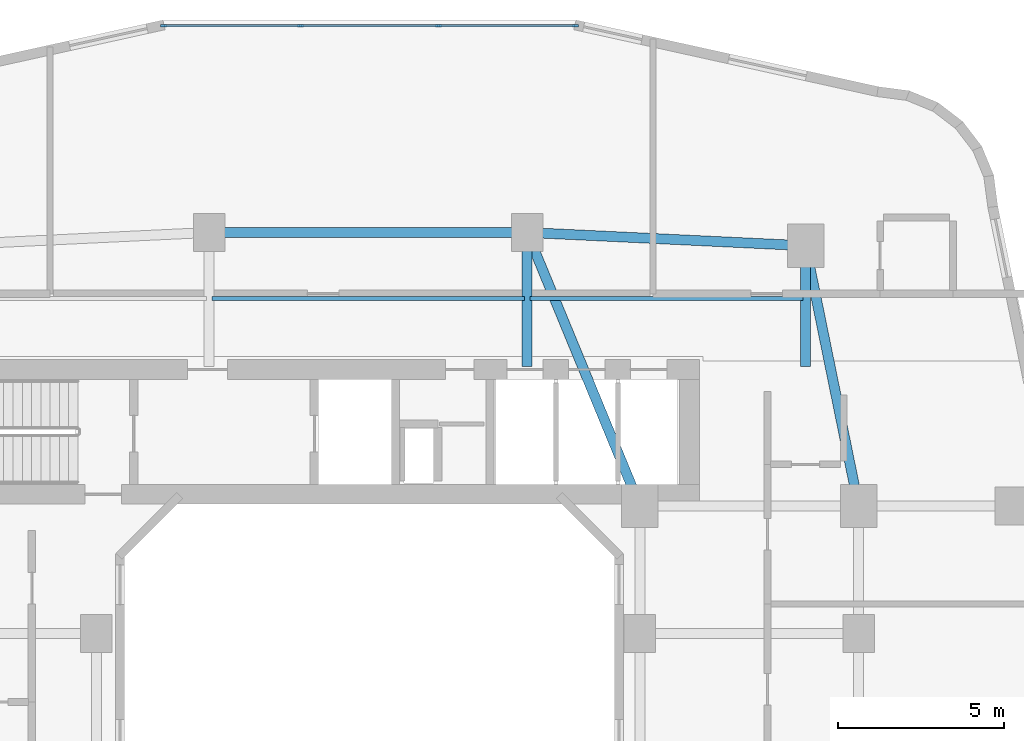
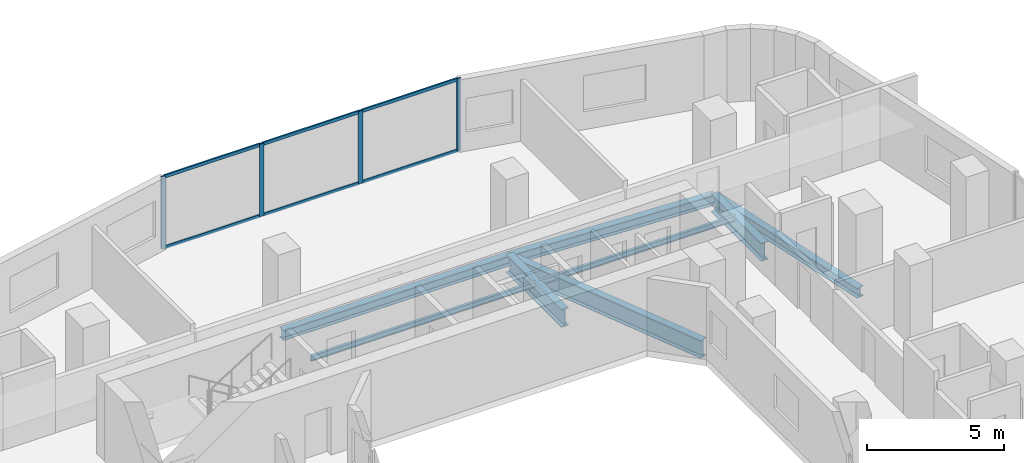
# One storey, part 7 of 26: 10 members, 8 beams, 1 element without a shape of its own.
"""IFC4 building model written with IfcOpenShell, lengths in metres."""

from ifc_helpers import new_model, si_unit, derived_unit, direction, frame, origin, origin_2d, place, context, subcontext, project, spatial, rectangle, i_section, extrude, material, layer, layer_set, material_profile, profile_set, type_object, element, aggregate, save


model = new_model("IFC4")

# Units and contexts
model_context = context("Model", 3, precision=1e-05, world=origin(), true_north=direction((0.0, 1.0)))
body_context = subcontext(model_context, "Body", "Model", "MODEL_VIEW")
ifc_project = project(units=[si_unit("LENGTHUNIT", "METRE"), si_unit("AREAUNIT", "SQUARE_METRE"), si_unit("VOLUMEUNIT", "CUBIC_METRE"), si_unit("PLANEANGLEUNIT", "RADIAN"), si_unit("MASSUNIT", "GRAM", prefix="KILO"), derived_unit("THERMALTRANSMITTANCEUNIT", [(si_unit("POWERUNIT", "WATT"), 1), (si_unit("LENGTHUNIT", "METRE"), -2), (si_unit("THERMODYNAMICTEMPERATUREUNIT", "KELVIN"), -1)])], contexts=[model_context])

# Site, building, storey
site_placement = place(None, origin())
site = spatial("IfcSite", under=ifc_project, at=site_placement, CompositionType="ELEMENT")
building_placement = place(site_placement, origin())
building = spatial("IfcBuilding", under=site, at=building_placement, Name="Kivonza Crest Hotel", CompositionType="ELEMENT")
storey_placement = place(building_placement, frame((0.0, 0.0, 52.0)))
storey = spatial("IfcBuildingStorey", under=building, at=storey_placement, Name="L13", CompositionType="ELEMENT", Elevation=52.0)

# Beams
ifc_material_1 = material(Name="Steel S355", Category="steel")
ifc_material_profile_1 = material_profile(ifc_material_1, i_section(OverallWidth=0.300048828125, OverallDepth=0.449951171875, WebThickness=0.013916015625, FlangeThickness=0.02587890625, FilletRadius=0.027099609375, at=origin_2d()), Name="HEB 450")
ifc_profile_set_1 = profile_set([ifc_material_profile_1], Name="Steel S355")
beam_type_1 = type_object("IfcBeamType", Name="BM-HEB450", PredefinedType="SPANDREL", material=ifc_profile_set_1)
beam_1_placement = place(storey_placement, frame((35.800048828125, 32.35009765625, -0.5048828125), z_axis=(-0.199730733965, 0.979850822273, 0.0), x_axis=(-0.979850822273, -0.199730733965, 0.0)))
element("IfcBeam", 1, at=beam_1_placement, inside=storey, type_object=beam_type_1, Name="Tower T1 L13 perimeter spandrel PNE-NE", PredefinedType="SPANDREL", context=body_context, shape_type="SweptSolid", body=[
    extrude(i_section(OverallWidth=0.300048828125, OverallDepth=0.449951171875, WebThickness=0.013916015625, FlangeThickness=0.02587890625, FilletRadius=0.027099609375, at=origin_2d()), origin(), (0.0, 0.0, 1.0), 8.01123046875),
])
beam_2_placement = place(storey_placement, frame((34.199951171875, 40.199951171875, -0.5048828125), z_axis=(-0.998867283688, 0.047583080799, 0.0), x_axis=(-0.047583080799, -0.998867283688, 0.0)))
element("IfcBeam", 2, at=beam_2_placement, inside=storey, type_object=beam_type_1, Name="Tower T1 L13 perimeter spandrel NE-N2", PredefinedType="SPANDREL", context=body_context, shape_type="SweptSolid", body=[
    extrude(i_section(OverallWidth=0.300048828125, OverallDepth=0.449951171875, WebThickness=0.013916015625, FlangeThickness=0.02587890625, FilletRadius=0.027099609375, at=origin_2d()), origin(), (0.0, 0.0, 1.0), 8.409423828125),
])
beam_3_placement = place(storey_placement, frame((25.800048828125, 40.60009765625, -0.5048828125), z_axis=(-1.0, 0.0, 0.0), x_axis=(0.0, -1.0, 0.0)))
element("IfcBeam", 3, at=beam_3_placement, inside=storey, type_object=beam_type_1, Name="Tower T1 L13 perimeter spandrel N2-N1", PredefinedType="SPANDREL", context=body_context, shape_type="SweptSolid", body=[
    extrude(i_section(OverallWidth=0.300048828125, OverallDepth=0.449951171875, WebThickness=0.013916015625, FlangeThickness=0.02587890625, FilletRadius=0.027099609375, at=origin_2d()), origin(), (0.0, 0.0, 1.0), 9.60009765625),
])
ifc_material_profile_2 = material_profile(ifc_material_1, i_section(OverallWidth=0.300048828125, OverallDepth=0.800048828125, WebThickness=0.017578125, FlangeThickness=0.032958984375, FilletRadius=0.030029296875, at=origin_2d()), Name="HEB 800")
ifc_profile_set_2 = profile_set([ifc_material_profile_2], Name="Steel S355")
beam_type_2 = type_object("IfcBeamType", Name="BM-HEB800", PredefinedType="BEAM", material=ifc_profile_set_2)
beam_4_placement = place(storey_placement, frame((25.800048828125, 40.60009765625, -0.679931640625), z_axis=(0.381022260404, -0.924565864109, 0.0), x_axis=(0.924565864109, 0.381022260404, 0.0)))
element("IfcBeam", 4, at=beam_4_placement, inside=storey, type_object=beam_type_2, Name="Tower T1 L13 primary girder N1-TNE", PredefinedType="BEAM", context=body_context, shape_type="SweptSolid", body=[
    extrude(i_section(OverallWidth=0.300048828125, OverallDepth=0.800048828125, WebThickness=0.017578125, FlangeThickness=0.032958984375, FilletRadius=0.030029296875, at=origin_2d()), origin(), (0.0, 0.0, 1.0), 8.923095703125),
])
beam_5_placement = place(storey_placement, frame((25.800048828125, 40.60009765625, -0.679931640625), z_axis=(0.0, -1.0, 0.0), x_axis=(1.0, 0.0, 0.0)))
element("IfcBeam", 5, at=beam_5_placement, inside=storey, type_object=beam_type_2, Name="Tower T1 L13 radial core girder RN2", PredefinedType="BEAM", context=body_context, shape_type="SweptSolid", body=[
    extrude(i_section(OverallWidth=0.300048828125, OverallDepth=0.800048828125, WebThickness=0.017578125, FlangeThickness=0.032958984375, FilletRadius=0.030029296875, at=origin_2d()), origin(), (0.0, 0.0, 1.0), 4.050048828125),
])
beam_6_placement = place(storey_placement, frame((34.199951171875, 40.199951171875, -0.679931640625), z_axis=(0.0, -1.0, 0.0), x_axis=(1.0, 0.0, 0.0)))
element("IfcBeam", 6, at=beam_6_placement, inside=storey, type_object=beam_type_2, Name="Tower T1 L13 radial core girder RNE", PredefinedType="BEAM", context=body_context, shape_type="SweptSolid", body=[
    extrude(i_section(OverallWidth=0.300048828125, OverallDepth=0.800048828125, WebThickness=0.017578125, FlangeThickness=0.032958984375, FilletRadius=0.030029296875, at=origin_2d()), origin(), (0.0, 0.0, 1.0), 3.64990234375),
])
ifc_material_profile_3 = material_profile(ifc_material_1, i_section(OverallWidth=0.1201171875, OverallDepth=0.239990234375, WebThickness=0.006103515625, FlangeThickness=0.009765625, FilletRadius=0.014892578125, at=origin_2d()), Name="IPE 240")
ifc_profile_set_3 = profile_set([ifc_material_profile_3], Name="Steel S355")
beam_type_3 = type_object("IfcBeamType", Name="BM-IPE240", PredefinedType="JOIST", material=ifc_profile_set_3)
beam_7_placement = place(storey_placement, frame((16.280029296875, 38.60009765625, -0.39990234375), z_axis=(1.0, 0.0, 0.0), x_axis=(0.0, 1.0, 0.0)))
element("IfcBeam", 7, at=beam_7_placement, inside=storey, type_object=beam_type_3, Name="Tower T1 L13 North-Mid floor joist", PredefinedType="JOIST", context=body_context, shape_type="SweptSolid", body=[
    extrude(i_section(OverallWidth=0.1201171875, OverallDepth=0.239990234375, WebThickness=0.006103515625, FlangeThickness=0.009765625, FilletRadius=0.014892578125, at=origin_2d()), origin(), (0.0, 0.0, 1.0), 9.43994140625),
])
beam_8_placement = place(storey_placement, frame((25.8798828125, 38.60009765625, -0.39990234375), z_axis=(1.0, 0.0, 0.0), x_axis=(0.0, 1.0, 0.0)))
element("IfcBeam", 8, at=beam_8_placement, inside=storey, type_object=beam_type_3, Name="Tower T1 L13 North-East floor joist", PredefinedType="JOIST", context=body_context, shape_type="SweptSolid", body=[
    extrude(i_section(OverallWidth=0.1201171875, OverallDepth=0.239990234375, WebThickness=0.006103515625, FlangeThickness=0.009765625, FilletRadius=0.014892578125, at=origin_2d()), origin(), (0.0, 0.0, 1.0), 8.240234375),
])

# Curtain wall, members
ifc_material_2 = material(Name="Anodised bronze aluminium and low-E double glazing", Category="aluminium")
ifc_layer = layer(ifc_material_2, 0.179931640625)
ifc_layer_set = layer_set([ifc_layer], Name="Anodised bronze aluminium and low-E double glazing")
curtain_wall_type = type_object("IfcCurtainWallType", Name="CW-SYS-2", PredefinedType="NOTDEFINED", material=ifc_layer_set)
curtain_wall_placement = place(storey_placement, origin())
curtain_wall = element("IfcCurtainWall", 9, at=curtain_wall_placement, inside=storey, type_object=curtain_wall_type, Name="L13 unitised curtain wall CW-T1-L13-26", PredefinedType="NOTDEFINED")
ifc_material_3 = material(Name="Anodised bronze aluminium", Category="aluminium")
ifc_material_profile_4 = material_profile(ifc_material_3, rectangle(XDim=0.06494140625, YDim=0.179931640625, at=origin_2d()), Name="CW-M 65x180")
ifc_profile_set_4 = profile_set([ifc_material_profile_4], Name="Anodised bronze aluminium")
member_type_1 = type_object("IfcMemberType", Name="CW-MUL-65x180", PredefinedType="MULLION", material=ifc_profile_set_4)
member_1_placement = place(storey_placement, frame((27.255615234375, 46.840087890625, 0.0), z_axis=(0.0, 0.0, 1.0), x_axis=(0.0, -1.0, 0.0)))
member_1 = element("IfcMember", 10, at=member_1_placement, type_object=member_type_1, Name="CW-2 mullion 1", PredefinedType="MULLION", context=body_context, shape_type="SweptSolid", body=[
    extrude(rectangle(XDim=0.06494140625, YDim=0.179931640625, at=origin_2d()), origin(), (0.0, 0.0, 1.0), 3.219970703125),
])
member_2_placement = place(storey_placement, frame((23.12255859375, 46.840087890625, 0.0), z_axis=(0.0, 0.0, 1.0), x_axis=(0.0, -1.0, 0.0)))
member_2 = element("IfcMember", 11, at=member_2_placement, type_object=member_type_1, Name="CW-2 mullion 2", PredefinedType="MULLION", context=body_context, shape_type="SweptSolid", body=[
    extrude(rectangle(XDim=0.06494140625, YDim=0.179931640625, at=origin_2d()), origin(), (0.0, 0.0, 1.0), 3.219970703125),
])
member_3_placement = place(storey_placement, frame((18.957275390625, 46.840087890625, 0.0), z_axis=(0.0, 0.0, 1.0), x_axis=(0.0, -1.0, 0.0)))
member_3 = element("IfcMember", 12, at=member_3_placement, type_object=member_type_1, Name="CW-2 mullion 3", PredefinedType="MULLION", context=body_context, shape_type="SweptSolid", body=[
    extrude(rectangle(XDim=0.06494140625, YDim=0.179931640625, at=origin_2d()), origin(), (0.0, 0.0, 1.0), 3.219970703125),
])
member_4_placement = place(storey_placement, frame((14.824462890625, 46.840087890625, 0.0), z_axis=(0.0, 0.0, 1.0), x_axis=(0.0, -1.0, 0.0)))
member_4 = element("IfcMember", 13, at=member_4_placement, type_object=member_type_1, Name="CW-2 mullion 4", PredefinedType="MULLION", context=body_context, shape_type="SweptSolid", body=[
    extrude(rectangle(XDim=0.06494140625, YDim=0.179931640625, at=origin_2d()), origin(), (0.0, 0.0, 1.0), 3.219970703125),
])
ifc_material_profile_5 = material_profile(ifc_material_3, rectangle(XDim=0.06494140625, YDim=0.139892578125, at=origin_2d()), Name="CW-T 65x140")
ifc_profile_set_5 = profile_set([ifc_material_profile_5], Name="Anodised bronze aluminium")
member_type_2 = type_object("IfcMemberType", Name="CW-TRN-65x140", PredefinedType="USERDEFINED", material=ifc_profile_set_5)
member_5_placement = place(storey_placement, frame((27.222900390625, 46.840087890625, 0.032470703125), z_axis=(-1.0, 0.0, 0.0), x_axis=(0.0, -1.0, 0.0)))
member_5 = element("IfcMember", 14, at=member_5_placement, type_object=member_type_2, Name="CW-2 transom 1.1", ObjectType="TRANSOM", PredefinedType="USERDEFINED", context=body_context, shape_type="SweptSolid", body=[
    extrude(rectangle(XDim=0.06494140625, YDim=0.139892578125, at=origin_2d()), origin(), (0.0, 0.0, 1.0), 4.067626953125),
])
member_6_placement = place(storey_placement, frame((27.222900390625, 46.840087890625, 3.1875), z_axis=(-1.0, 0.0, 0.0), x_axis=(0.0, -1.0, 0.0)))
member_6 = element("IfcMember", 15, at=member_6_placement, type_object=member_type_2, Name="CW-2 transom 1.2", ObjectType="TRANSOM", PredefinedType="USERDEFINED", context=body_context, shape_type="SweptSolid", body=[
    extrude(rectangle(XDim=0.06494140625, YDim=0.139892578125, at=origin_2d()), origin(), (0.0, 0.0, 1.0), 4.067626953125),
])
member_7_placement = place(storey_placement, frame((23.090087890625, 46.840087890625, 0.032470703125), z_axis=(-1.0, 0.0, 0.0), x_axis=(0.0, -1.0, 0.0)))
member_7 = element("IfcMember", 16, at=member_7_placement, type_object=member_type_2, Name="CW-2 transom 2.1", ObjectType="TRANSOM", PredefinedType="USERDEFINED", context=body_context, shape_type="SweptSolid", body=[
    extrude(rectangle(XDim=0.06494140625, YDim=0.139892578125, at=origin_2d()), origin(), (0.0, 0.0, 1.0), 4.100341796875),
])
member_8_placement = place(storey_placement, frame((23.090087890625, 46.840087890625, 3.1875), z_axis=(-1.0, 0.0, 0.0), x_axis=(0.0, -1.0, 0.0)))
member_8 = element("IfcMember", 17, at=member_8_placement, type_object=member_type_2, Name="CW-2 transom 2.2", ObjectType="TRANSOM", PredefinedType="USERDEFINED", context=body_context, shape_type="SweptSolid", body=[
    extrude(rectangle(XDim=0.06494140625, YDim=0.139892578125, at=origin_2d()), origin(), (0.0, 0.0, 1.0), 4.100341796875),
])
member_9_placement = place(storey_placement, frame((18.9248046875, 46.840087890625, 0.032470703125), z_axis=(-1.0, 0.0, 0.0), x_axis=(0.0, -1.0, 0.0)))
member_9 = element("IfcMember", 18, at=member_9_placement, type_object=member_type_2, Name="CW-2 transom 3.1", ObjectType="TRANSOM", PredefinedType="USERDEFINED", context=body_context, shape_type="SweptSolid", body=[
    extrude(rectangle(XDim=0.06494140625, YDim=0.139892578125, at=origin_2d()), origin(), (0.0, 0.0, 1.0), 4.06787109375),
])
member_10_placement = place(storey_placement, frame((18.9248046875, 46.840087890625, 3.1875), z_axis=(-1.0, 0.0, 0.0), x_axis=(0.0, -1.0, 0.0)))
member_10 = element("IfcMember", 19, at=member_10_placement, type_object=member_type_2, Name="CW-2 transom 3.2", ObjectType="TRANSOM", PredefinedType="USERDEFINED", context=body_context, shape_type="SweptSolid", body=[
    extrude(rectangle(XDim=0.06494140625, YDim=0.139892578125, at=origin_2d()), origin(), (0.0, 0.0, 1.0), 4.06787109375),
])
aggregate(curtain_wall, [member_1, member_2, member_3, member_4, member_5, member_6, member_7, member_8, member_9, member_10])

save(model, "model.ifc")
